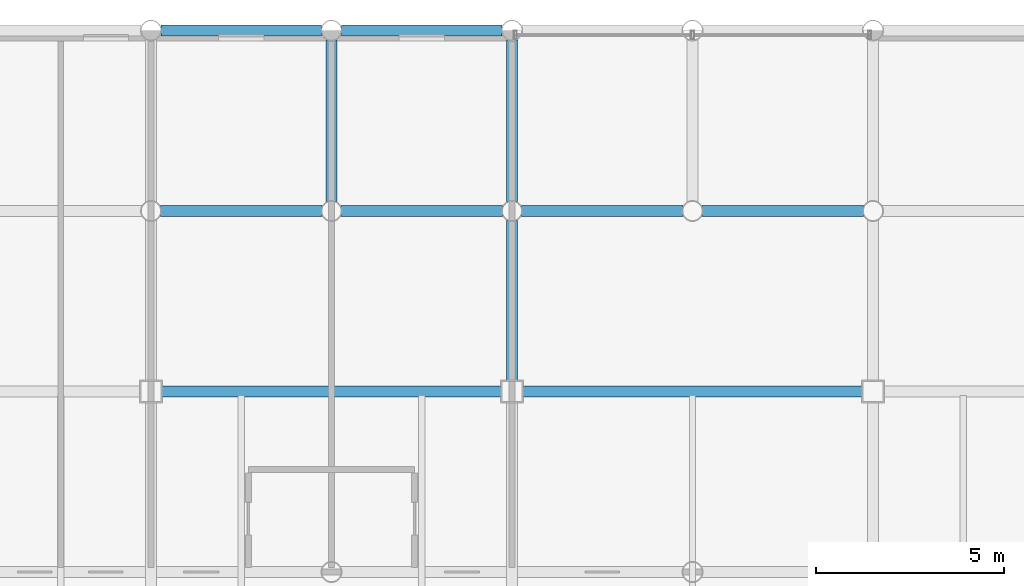
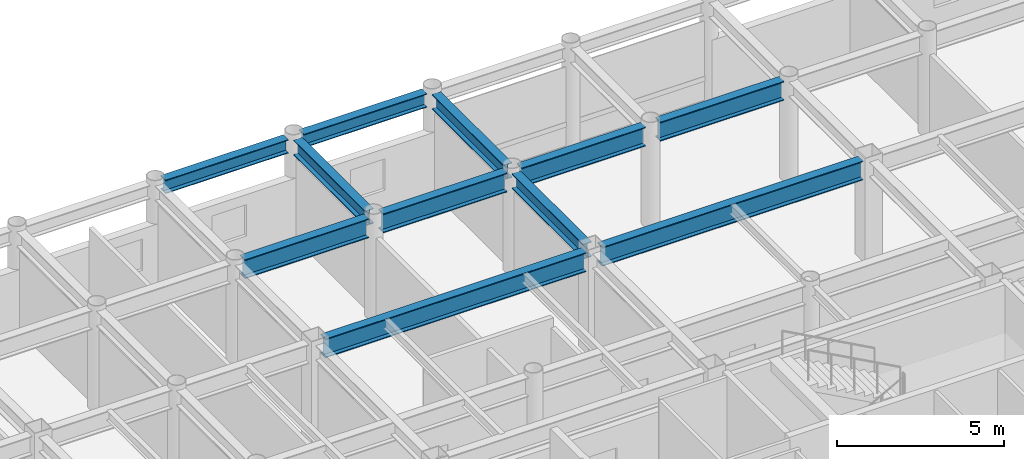
# One storey, part 13 of 22: 11 beams.
"""IFC4 building model written with IfcOpenShell, lengths in metres."""

from ifc_helpers import new_model, si_unit, direction, frame, origin, origin_2d, place, context, subcontext, project, spatial, i_section, extrude, material, material_profile, profile_set, type_object, element, save


model = new_model("IFC4")

# Units and contexts
model_context = context("Model", 3, precision=1e-05, world=origin(), true_north=direction((0.0, 1.0)))
body_context = subcontext(model_context, "Body", "Model", "MODEL_VIEW")
ifc_project = project(units=[si_unit("LENGTHUNIT", "METRE"), si_unit("AREAUNIT", "SQUARE_METRE"), si_unit("VOLUMEUNIT", "CUBIC_METRE"), si_unit("PLANEANGLEUNIT", "RADIAN"), si_unit("MASSUNIT", "GRAM", prefix="KILO")], contexts=[model_context])

# Site, building, storey
site_placement = place(None, origin())
site = spatial("IfcSite", under=ifc_project, at=site_placement, CompositionType="ELEMENT")
building_placement = place(site_placement, origin())
building = spatial("IfcBuilding", under=site, at=building_placement, Name="Kallvorn Hotel Tower", CompositionType="ELEMENT")
storey_placement = place(building_placement, frame((0.0, 0.0, 230.0)))
storey = spatial("IfcBuildingStorey", under=building, at=storey_placement, Name="L57", CompositionType="ELEMENT", Elevation=230.0)

# Beams
ifc_material_1 = material(Name="Structural steel S355JR", Category="steel")
ifc_material_profile_1 = material_profile(ifc_material_1, i_section(OverallWidth=0.300048828125, OverallDepth=0.5, WebThickness=0.014404296875, FlangeThickness=0.028076171875, at=origin_2d()), Name="HE 500 B")
ifc_profile_set_1 = profile_set([ifc_material_profile_1], Name="Structural steel S355JR")
beam_type_1 = type_object("IfcBeamType", Name="BM_HE500B", PredefinedType="SPANDREL", material=ifc_profile_set_1)
beam_1_placement = place(storey_placement, frame((-14.130615234375, 24.0, 3.419921875), z_axis=(1.0, 0.0, 0.0), x_axis=(0.0, 1.0, 0.0)))
element("IfcBeam", 1, at=beam_1_placement, inside=storey, type_object=beam_type_1, Name="L58 Perimeter Spandrel 165", PredefinedType="SPANDREL", context=body_context, shape_type="SweptSolid", body=[
    extrude(i_section(OverallWidth=0.300048828125, OverallDepth=0.5, WebThickness=0.014404296875, FlangeThickness=0.028076171875, at=origin_2d()), origin(), (0.0, 0.0, 1.0), 4.26123046875),
])
beam_2_placement = place(storey_placement, frame((-9.33056640625, 24.0, 3.419921875), z_axis=(1.0, 0.0, 0.0), x_axis=(0.0, 1.0, 0.0)))
element("IfcBeam", 2, at=beam_2_placement, inside=storey, type_object=beam_type_1, Name="L58 Perimeter Spandrel 166", PredefinedType="SPANDREL", context=body_context, shape_type="SweptSolid", body=[
    extrude(i_section(OverallWidth=0.300048828125, OverallDepth=0.5, WebThickness=0.014404296875, FlangeThickness=0.028076171875, at=origin_2d()), origin(), (0.0, 0.0, 1.0), 4.260986328125),
])
ifc_material_2 = material(Name="Structural steel S355JR", Category="steel")
ifc_material_profile_2 = material_profile(ifc_material_2, i_section(OverallWidth=0.300048828125, OverallDepth=0.550048828125, WebThickness=0.014892578125, FlangeThickness=0.029052734375, at=origin_2d()), Name="HE 550 B")
ifc_profile_set_2 = profile_set([ifc_material_profile_2], Name="Structural steel S355JR")
beam_type_2 = type_object("IfcBeamType", Name="BM_HE550B", PredefinedType="SPANDREL", material=ifc_profile_set_2)
beam_3_placement = place(storey_placement, frame((-9.60009765625, 19.45458984375, 3.39501953125), z_axis=(0.0, 1.0, 0.0), x_axis=(-1.0, 0.0, 0.0)))
element("IfcBeam", 3, at=beam_3_placement, inside=storey, type_object=beam_type_2, Name="L58 Primary Y-Girder 104", PredefinedType="SPANDREL", context=body_context, shape_type="SweptSolid", body=[
    extrude(i_section(OverallWidth=0.300048828125, OverallDepth=0.550048828125, WebThickness=0.014892578125, FlangeThickness=0.029052734375, at=origin_2d()), origin(), (0.0, 0.0, 1.0), 4.291015625),
])
beam_4_placement = place(storey_placement, frame((-4.800048828125, 14.675048828125, 3.39501953125), z_axis=(0.0, 1.0, 0.0), x_axis=(-1.0, 0.0, 0.0)))
element("IfcBeam", 4, at=beam_4_placement, inside=storey, type_object=beam_type_2, Name="L58 Primary Y-Girder 108", PredefinedType="SPANDREL", context=body_context, shape_type="SweptSolid", body=[
    extrude(i_section(OverallWidth=0.300048828125, OverallDepth=0.550048828125, WebThickness=0.014892578125, FlangeThickness=0.029052734375, at=origin_2d()), origin(), (0.0, 0.0, 1.0), 4.2705078125),
])
beam_5_placement = place(storey_placement, frame((-4.800048828125, 19.45458984375, 3.39501953125), z_axis=(0.0, 1.0, 0.0), x_axis=(-1.0, 0.0, 0.0)))
element("IfcBeam", 5, at=beam_5_placement, inside=storey, type_object=beam_type_2, Name="L58 Primary Y-Girder 109", PredefinedType="SPANDREL", context=body_context, shape_type="SweptSolid", body=[
    extrude(i_section(OverallWidth=0.300048828125, OverallDepth=0.550048828125, WebThickness=0.014892578125, FlangeThickness=0.029052734375, at=origin_2d()), origin(), (0.0, 0.0, 1.0), 4.291015625),
])
ifc_material_3 = material(Name="Structural steel S355JR", Category="steel")
ifc_material_profile_3 = material_profile(ifc_material_3, i_section(OverallWidth=0.300048828125, OverallDepth=0.699951171875, WebThickness=0.01708984375, FlangeThickness=0.031982421875, at=origin_2d()), Name="HE 700 B")
ifc_profile_set_3 = profile_set([ifc_material_profile_3], Name="Structural steel S355JR")
beam_type_3 = type_object("IfcBeamType", Name="BM_HE700B", PredefinedType="BEAM", material=ifc_profile_set_3)
beam_6_placement = place(storey_placement, frame((-14.125, 14.39990234375, 3.320068359375), z_axis=(1.0, 0.0, 0.0), x_axis=(0.0, 1.0, 0.0)))
element("IfcBeam", 6, at=beam_6_placement, inside=storey, type_object=beam_type_3, Name="L58 Primary X-Girder 53", PredefinedType="BEAM", context=body_context, shape_type="SweptSolid", body=[
    extrude(i_section(OverallWidth=0.300048828125, OverallDepth=0.699951171875, WebThickness=0.01708984375, FlangeThickness=0.031982421875, at=origin_2d()), origin(), (0.0, 0.0, 1.0), 9.050048828125),
])
beam_7_placement = place(storey_placement, frame((-4.52490234375, 14.39990234375, 3.320068359375), z_axis=(1.0, 0.0, 0.0), x_axis=(0.0, 1.0, 0.0)))
element("IfcBeam", 7, at=beam_7_placement, inside=storey, type_object=beam_type_3, Name="L58 Primary X-Girder 54", PredefinedType="BEAM", context=body_context, shape_type="SweptSolid", body=[
    extrude(i_section(OverallWidth=0.300048828125, OverallDepth=0.699951171875, WebThickness=0.01708984375, FlangeThickness=0.031982421875, at=origin_2d()), origin(), (0.0, 0.0, 1.0), 9.0498046875),
])
for number, where, z_axis, x_axis, name in (
    (8, (-14.1455078125, 19.199951171875, 3.320068359375), (1.0, 0.0, 0.0), (0.0, 1.0, 0.0), "L58 Primary X-Girder 63"),
    (9, (-9.345458984375, 19.199951171875, 3.320068359375), (1.0, 0.0, 0.0), (0.0, 1.0, 0.0), "L58 Primary X-Girder 64"),
    (10, (-4.54541015625, 19.199951171875, 3.320068359375), (1.0, 0.0, 0.0), (0.0, 1.0, 0.0), "L58 Primary X-Girder 65"),
    (11, (0.25439453125, 19.199951171875, 3.320068359375), (1.0, 0.0, 0.0), (0.0, 1.0, 0.0), "L58 Primary X-Girder 66"),
):
    element("IfcBeam", number, at=place(storey_placement, frame(where, z_axis=z_axis, x_axis=x_axis)), inside=storey, type_object=beam_type_3, Name=name, PredefinedType="BEAM", context=body_context, shape_type="SweptSolid", body=[
        extrude(i_section(OverallWidth=0.300048828125, OverallDepth=0.699951171875, WebThickness=0.01708984375, FlangeThickness=0.031982421875, at=origin_2d()), origin(), (0.0, 0.0, 1.0), 4.291015625),
    ])

save(model, "model.ifc")
